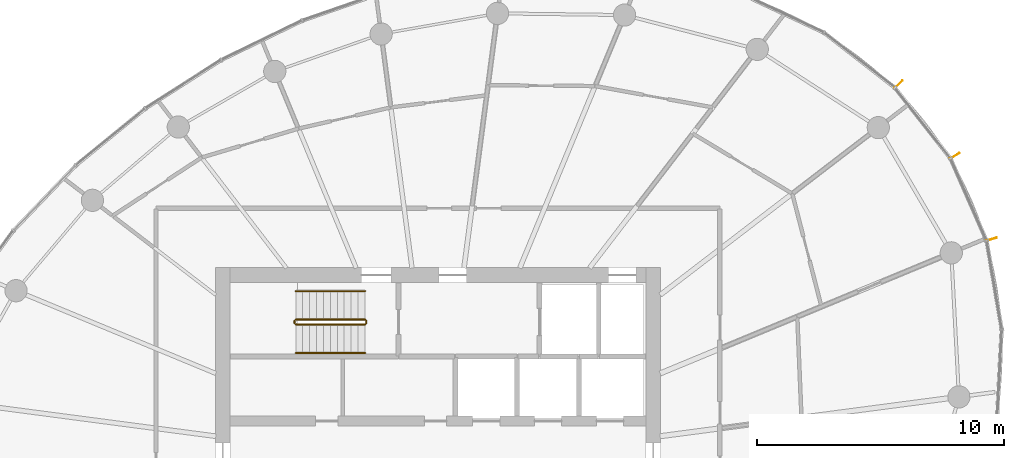
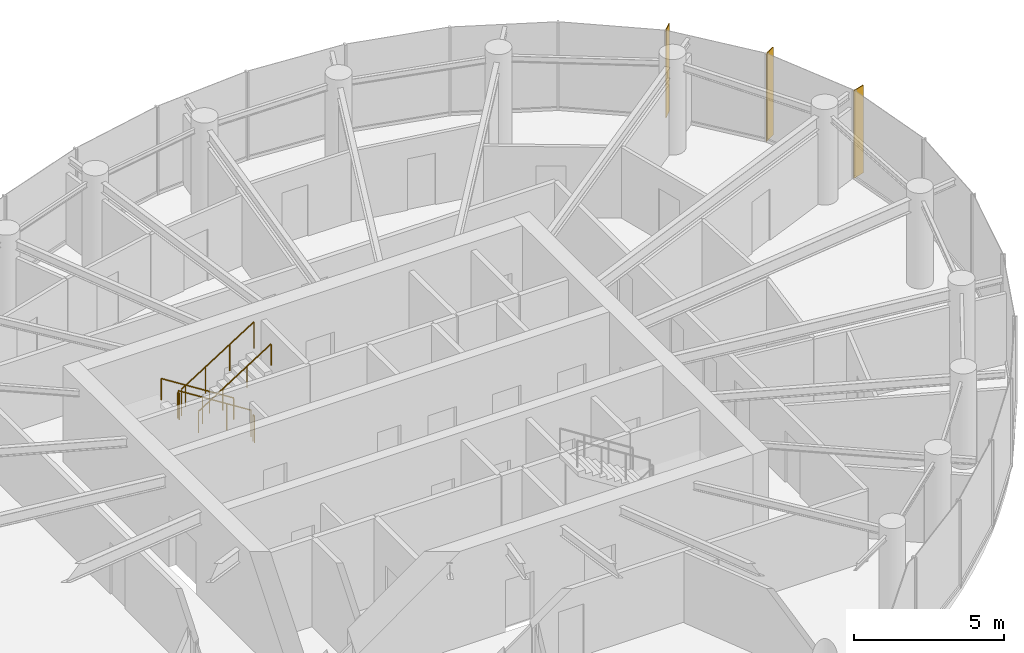
# One storey, part 14 of 14: 6 railings, 3 shading devices.
"""IFC4 building model written with IfcOpenShell, lengths in metres."""

from ifc_helpers import new_model, si_unit, direction, frame, origin, origin_2d, place, context, subcontext, project, spatial, rectangle, circle, extrude, source, transform, mapped, material, material_profile, profile_set, type_object, element, save


model = new_model("IFC4")

# Units and contexts
model_context = context("Model", 3, precision=1e-05, world=origin(), true_north=direction((0.0, 1.0)))
body_context = subcontext(model_context, "Body", "Model", "MODEL_VIEW")
ifc_project = project(units=[si_unit("LENGTHUNIT", "METRE"), si_unit("AREAUNIT", "SQUARE_METRE"), si_unit("VOLUMEUNIT", "CUBIC_METRE"), si_unit("PLANEANGLEUNIT", "RADIAN"), si_unit("MASSUNIT", "GRAM", prefix="KILO")], contexts=[model_context])

# Site, building, storey
site_placement = place(None, origin())
site = spatial("IfcSite", under=ifc_project, at=site_placement, CompositionType="ELEMENT")
building_placement = place(site_placement, origin())
building = spatial("IfcBuilding", under=site, at=building_placement, Name="Spindrift Exchange Tower", CompositionType="ELEMENT")
storey_placement = place(building_placement, frame((0.0, 0.0, 207.199951171875)))
storey = spatial("IfcBuildingStorey", under=building, at=storey_placement, Name="L50", CompositionType="ELEMENT", Elevation=207.199951171875)

# Railings
ifc_material_1 = material(Name="Steel balustrade", Category="steel")
railing_type_1 = type_object("IfcRailingType", Name="RL-STAIR-GUARD", PredefinedType="GUARDRAIL", material=ifc_material_1)
railing_1_placement = place(storey_placement, frame((49.050048828125, 53.89990234375, 0.17724609375)))
element("IfcRailing", 1, at=railing_1_placement, inside=storey, type_object=railing_type_1, Name="L50 ST1 stair guard 1", PredefinedType="GUARDRAIL", context=body_context, shape_type="SweptSolid", body=[
    extrude(circle(Radius=0.02392578125, at=origin_2d()), frame((0.0, 0.0, 1.076171875), z_axis=(-0.844908973607, 0.0, 0.534910110503), x_axis=(0.0, -1.0, 0.0)), (0.0, 0.0, 1.0), 3.31396484375),
    extrude(circle(Radius=0.02099609375, at=origin_2d()), origin(), (0.0, 0.0, 1.0), 1.052001953125),
    extrude(circle(Radius=0.02099609375, at=origin_2d()), frame((-0.933349609375, 0.0, 0.5908203125)), (0.0, 0.0, 1.0), 1.052001953125),
    extrude(circle(Radius=0.02099609375, at=origin_2d()), frame((-1.86669921875, 0.0, 1.181884765625)), (0.0, 0.0, 1.0), 1.052001953125),
    extrude(circle(Radius=0.02099609375, at=origin_2d()), frame((-2.800048828125, 0.0, 1.772705078125)), (0.0, 0.0, 1.0), 1.052001953125),
])
railing_2_placement = place(storey_placement, frame((46.199951171875, 53.85009765625, 1.949951171875)))
element("IfcRailing", 2, at=railing_2_placement, inside=storey, type_object=railing_type_1, Name="L50 ST1 stair guard 2", PredefinedType="GUARDRAIL", context=body_context, shape_type="SweptSolid", body=[
    extrude(circle(Radius=0.02392578125, at=origin_2d()), frame((0.0, 0.0, 1.076171875), z_axis=(0.0, -1.0, 0.0), x_axis=(1.0, 0.0, 0.0)), (0.0, 0.0, 1.0), 0.10009765625),
    extrude(circle(Radius=0.02099609375, at=origin_2d()), origin(), (0.0, 0.0, 1.0), 1.052001953125),
    extrude(circle(Radius=0.02099609375, at=origin_2d()), frame((0.0, -0.10009765625, 0.0)), (0.0, 0.0, 1.0), 1.052001953125),
])
railing_3_placement = place(storey_placement, frame((46.25, 53.699951171875, 2.12744140625)))
element("IfcRailing", 3, at=railing_3_placement, inside=storey, type_object=railing_type_1, Name="L50 ST1 stair guard 3", PredefinedType="GUARDRAIL", context=body_context, shape_type="SweptSolid", body=[
    extrude(circle(Radius=0.02392578125, at=origin_2d()), frame((0.0, 0.0, 1.076171875), z_axis=(0.844908973607, 0.0, 0.534910110503), x_axis=(0.0, 1.0, 0.0)), (0.0, 0.0, 1.0), 3.31396484375),
    extrude(circle(Radius=0.02099609375, at=origin_2d()), origin(), (0.0, 0.0, 1.0), 1.052001953125),
    extrude(circle(Radius=0.02099609375, at=origin_2d()), frame((0.933349609375, 0.0, 0.5908203125)), (0.0, 0.0, 1.0), 1.052001953125),
    extrude(circle(Radius=0.02099609375, at=origin_2d()), frame((1.86669921875, 0.0, 1.181884765625)), (0.0, 0.0, 1.0), 1.052001953125),
    extrude(circle(Radius=0.02099609375, at=origin_2d()), frame((2.800048828125, 0.0, 1.772705078125)), (0.0, 0.0, 1.0), 1.052001953125),
])
railing_4_placement = place(storey_placement, frame((49.10009765625, 53.85009765625, 0.0)))
element("IfcRailing", 4, at=railing_4_placement, inside=storey, type_object=railing_type_1, Name="L50 ST1 stair guard 4", PredefinedType="GUARDRAIL", context=body_context, shape_type="SweptSolid", body=[
    extrude(circle(Radius=0.02392578125, at=origin_2d()), frame((0.0, 0.0, 1.076171875), z_axis=(0.0, -1.0, 0.0), x_axis=(1.0, 0.0, 0.0)), (0.0, 0.0, 1.0), 0.10009765625),
    extrude(circle(Radius=0.02099609375, at=origin_2d()), origin(), (0.0, 0.0, 1.0), 1.052001953125),
    extrude(circle(Radius=0.02099609375, at=origin_2d()), frame((0.0, -0.10009765625, 0.0)), (0.0, 0.0, 1.0), 1.052001953125),
])
ifc_material_2 = material(Name="Steel tubular handrail", Category="steel")
railing_type_2 = type_object("IfcRailingType", Name="RL-STAIR-HAND", PredefinedType="HANDRAIL", material=ifc_material_2)
railing_5_placement = place(storey_placement, frame((49.050048828125, 55.050048828125, 0.17724609375)))
element("IfcRailing", 5, at=railing_5_placement, inside=storey, type_object=railing_type_2, Name="L50 ST1 stair handrail 1", PredefinedType="HANDRAIL", context=body_context, shape_type="SweptSolid", body=[
    extrude(circle(Radius=0.02392578125, at=origin_2d()), frame((0.0, 0.0, 0.8759765625), z_axis=(-0.844908973607, 0.0, 0.534910110503), x_axis=(0.0, -1.0, 0.0)), (0.0, 0.0, 1.0), 3.31396484375),
    extrude(circle(Radius=0.02099609375, at=origin_2d()), origin(), (0.0, 0.0, 1.0), 0.851806640625),
    extrude(circle(Radius=0.02099609375, at=origin_2d()), frame((-0.933349609375, 0.0, 0.5908203125)), (0.0, 0.0, 1.0), 0.851806640625),
    extrude(circle(Radius=0.02099609375, at=origin_2d()), frame((-1.86669921875, 0.0, 1.181884765625)), (0.0, 0.0, 1.0), 0.851806640625),
    extrude(circle(Radius=0.02099609375, at=origin_2d()), frame((-2.800048828125, 0.0, 1.772705078125)), (0.0, 0.0, 1.0), 0.851806640625),
])
railing_6_placement = place(storey_placement, frame((46.25, 52.550048828125, 2.12744140625)))
element("IfcRailing", 6, at=railing_6_placement, inside=storey, type_object=railing_type_2, Name="L50 ST1 stair handrail 2", PredefinedType="HANDRAIL", context=body_context, shape_type="SweptSolid", body=[
    extrude(circle(Radius=0.02392578125, at=origin_2d()), frame((0.0, 0.0, 0.8759765625), z_axis=(0.844908973607, 0.0, 0.534910110503), x_axis=(0.0, 1.0, 0.0)), (0.0, 0.0, 1.0), 3.31396484375),
    extrude(circle(Radius=0.02099609375, at=origin_2d()), origin(), (0.0, 0.0, 1.0), 0.851806640625),
    extrude(circle(Radius=0.02099609375, at=origin_2d()), frame((0.933349609375, 0.0, 0.5908203125)), (0.0, 0.0, 1.0), 0.851806640625),
    extrude(circle(Radius=0.02099609375, at=origin_2d()), frame((1.86669921875, 0.0, 1.181884765625)), (0.0, 0.0, 1.0), 0.851806640625),
    extrude(circle(Radius=0.02099609375, at=origin_2d()), frame((2.800048828125, 0.0, 1.772705078125)), (0.0, 0.0, 1.0), 0.851806640625),
])

# Shading devices
ifc_material_3 = material(Name="Bronze anodised aluminium", Category="aluminium")
ifc_material_profile = material_profile(ifc_material_3, rectangle(XDim=0.030029296875, YDim=0.449951171875, at=origin_2d()), Name="WIND FIN 30X450")
ifc_profile_set = profile_set([ifc_material_profile], Name="Bronze anodised aluminium")
shading_device_type = type_object("IfcShadingDeviceType", Name="WIND FIN 30X450", PredefinedType="USERDEFINED", material=ifc_profile_set)
shared_shape = source(origin(), body_context, "Body", "SweptSolid", [
    extrude(rectangle(XDim=0.030029296875, YDim=0.449951171875, at=origin_2d()), origin(), (0.0, 0.0, 1.0), 3.580078125),
])
for number, where, z_axis, x_axis, name in (
    (7, (72.8935546875, 60.515869140625, 0.0), (0.0, 0.0, 1.0), (-0.513878173753, 0.857863172389, 0.0), "L50 wind fin 2"),
    (8, (70.61669921875, 63.41162109375, 0.0), (0.0, 0.0, 1.0), (-0.709242297911, 0.704964795471, 0.0), "L50 wind fin 3"),
    (9, (74.372314453125, 57.14208984375, 0.0), (0.0, 0.0, 1.0), (-0.286900764973, 0.957960307663, 0.0), "L50 wind fin 4"),
):
    element("IfcShadingDevice", number, at=place(storey_placement, frame(where, z_axis=z_axis, x_axis=x_axis)), inside=storey, type_object=shading_device_type, Name=name, ObjectType="FIN", PredefinedType="USERDEFINED", context=body_context, shape_type="MappedRepresentation", body=[
        mapped(shared_shape, transform((0.0, 0.0, 0.0), scale=1.0)),
    ])

save(model, "model.ifc")
